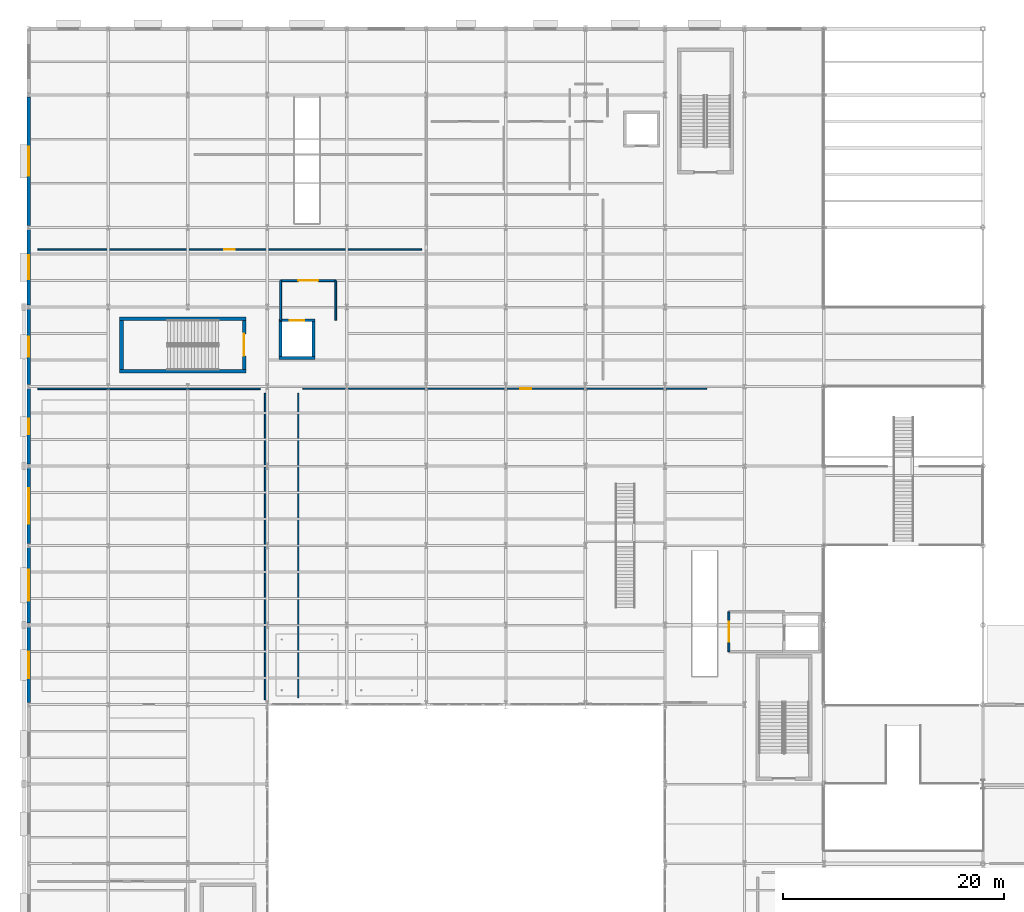
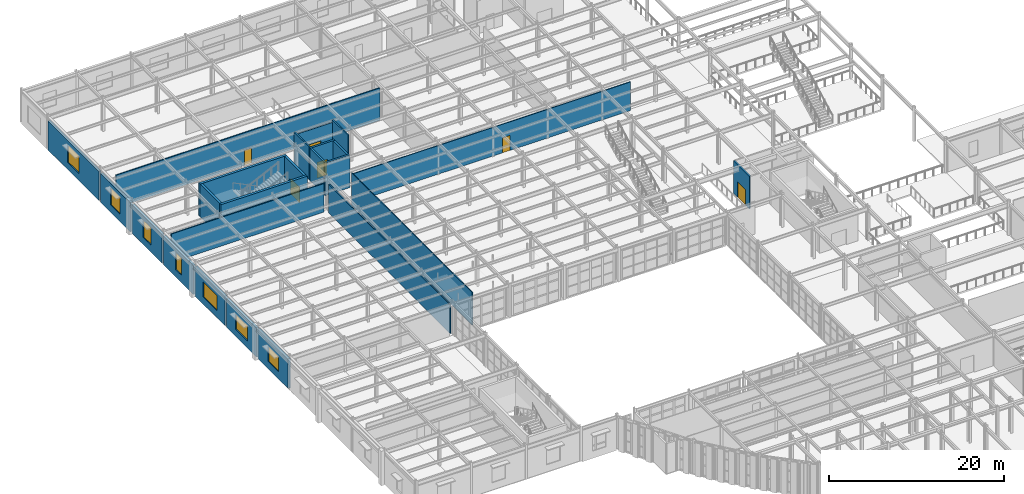
# One storey, part 96 of 121: 24 walls, 7 windows, 6 doors, 13 openings.
"""IFC4 building model written with IfcOpenShell, lengths in metres."""

from ifc_helpers import new_model, si_unit, direction, frame, frame_2d, origin, place, context, subcontext, project, spatial, rectangle, extrude, material, layer, layer_set, type_object, element, fill, save


model = new_model("IFC4")

# Units and contexts
model_context = context("Model", 3, precision=1e-05, world=origin(), true_north=direction((0.0, 1.0)))
body_context = subcontext(model_context, "Body", "Model", "MODEL_VIEW")
ifc_project = project(units=[si_unit("LENGTHUNIT", "METRE"), si_unit("AREAUNIT", "SQUARE_METRE"), si_unit("VOLUMEUNIT", "CUBIC_METRE"), si_unit("PLANEANGLEUNIT", "RADIAN"), si_unit("MASSUNIT", "GRAM", prefix="KILO")], contexts=[model_context])

# Site, building, storey
site_placement = place(None, origin())
site = spatial("IfcSite", under=ifc_project, at=site_placement, CompositionType="ELEMENT")
building_placement = place(site_placement, origin())
building = spatial("IfcBuilding", under=site, at=building_placement, Name="Solvadek Multi-Sports Hall", CompositionType="ELEMENT")
storey_placement = place(building_placement, frame((0.0, 0.0, 4.800048828125)))
storey = spatial("IfcBuildingStorey", under=building, at=storey_placement, Name="L01", CompositionType="ELEMENT", Elevation=4.800048828125)

# Wall, opening, window
ifc_material_1 = material(Name="Dressed honey-cream limestone ashlar", Category="masonry")
ifc_layer_1 = layer(ifc_material_1, 0.300048828125, Name="Dressed honey-cream limestone ashlar")
ifc_layer_set_1 = layer_set([ifc_layer_1], Name="Dressed honey-cream limestone ashlar")
wall_type_1 = type_object("IfcWallType", Name="ENV-WAL-EXT300", PredefinedType="SOLIDWALL", material=ifc_layer_set_1)
wall_1_placement = place(storey_placement, frame((0.0, 49.384033203125, 0.0), z_axis=(0.0, 0.0, 1.0), x_axis=(0.0, 1.0, 0.0)))
wall_1 = element("IfcWall", 1, at=wall_1_placement, inside=storey, type_object=wall_type_1, Name="L01 Exterior Masonry Wall #142", PredefinedType="SOLIDWALL", context=body_context, shape_type="SweptSolid", body=[
    extrude(rectangle(XDim=6.83203125, YDim=0.300048828125, at=frame_2d((3.416015625, 0.0))), origin(), (0.0, 0.0, 1.0), 4.14501953125),
])
opening_1_placement = place(wall_1_placement, frame((2.216064453125, 0.0, 1.0)))
opening_1 = element("IfcOpeningElement", 2, at=opening_1_placement, cuts=wall_1, Name="Opening WN-13", PredefinedType="OPENING", context=body_context, shape_type="SweptSolid", body=[
    extrude(rectangle(XDim=2.39990234375, YDim=2.10009765625, at=frame_2d((1.199951171875, 1.050048828125))), frame((0.0, 0.159912109375, 0.0), z_axis=(0.0, -1.0, 0.0), x_axis=(1.0, 0.0, 0.0)), (0.0, 0.0, 1.0), 0.320068359375),
])
ifc_material_2 = material(Name="Tempered laminated low-E glass", Category="glass")
window_type_1 = type_object("IfcWindowType", Name="ENV-WIN-WN-13", PartitioningType="SINGLE_PANEL", PredefinedType="WINDOW", material=ifc_material_2)
window_1_placement = place(opening_1_placement, origin())
window_1 = element("IfcWindow", 3, at=window_1_placement, inside=storey, type_object=window_type_1, Name="L01 Facade Window WN-13 #31", OverallHeight=2.10009765625, OverallWidth=2.39990234375, PartitioningType="SINGLE_PANEL", PredefinedType="WINDOW", context=body_context, shape_type="SweptSolid", body=[
    extrude(rectangle(XDim=2.39990234375, YDim=2.10009765625, at=frame_2d((1.199951171875, 1.050048828125))), frame((0.0, 0.030029296875, 0.0), z_axis=(0.0, -1.0, 0.0), x_axis=(1.0, 0.0, 0.0)), (0.0, 0.0, 1.0), 0.06005859375),
])
fill(opening_1, window_1)

wall_2_placement = place(storey_placement, frame((0.0, 56.583984375, 0.0), z_axis=(0.0, 0.0, 1.0), x_axis=(0.0, 1.0, 0.0)))
wall_2 = element("IfcWall", 4, at=wall_2_placement, inside=storey, type_object=wall_type_1, Name="L01 Exterior Masonry Wall #145", PredefinedType="SOLIDWALL", context=body_context, shape_type="SweptSolid", body=[
    extrude(rectangle(XDim=6.83203125, YDim=0.300048828125, at=frame_2d((3.416015625, 0.0))), origin(), (0.0, 0.0, 1.0), 4.044921875),
])
opening_2_placement = place(wall_2_placement, frame((2.01611328125, 0.0, 1.0)))
opening_2 = element("IfcOpeningElement", 5, at=opening_2_placement, cuts=wall_2, Name="Opening WN-14", PredefinedType="OPENING", context=body_context, shape_type="SweptSolid", body=[
    extrude(rectangle(XDim=2.800048828125, YDim=2.10009765625, at=frame_2d((1.39990234375, 1.050048828125))), frame((0.0, 0.159912109375, 0.0), z_axis=(0.0, -1.0, 0.0), x_axis=(1.0, 0.0, 0.0)), (0.0, 0.0, 1.0), 0.320068359375),
])
window_type_2 = type_object("IfcWindowType", Name="ENV-WIN-WN-14", PartitioningType="SINGLE_PANEL", PredefinedType="WINDOW", material=ifc_material_2)
window_2_placement = place(opening_2_placement, origin())
window_2 = element("IfcWindow", 6, at=window_2_placement, inside=storey, type_object=window_type_2, Name="L01 Facade Window WN-14 #34", OverallHeight=2.10009765625, OverallWidth=2.800048828125, PartitioningType="SINGLE_PANEL", PredefinedType="WINDOW", context=body_context, shape_type="SweptSolid", body=[
    extrude(rectangle(XDim=2.800048828125, YDim=2.10009765625, at=frame_2d((1.39990234375, 1.050048828125))), frame((0.0, 0.030029296875, 0.0), z_axis=(0.0, -1.0, 0.0), x_axis=(1.0, 0.0, 0.0)), (0.0, 0.0, 1.0), 0.06005859375),
])
fill(opening_2, window_2)

wall_3_placement = place(storey_placement, frame((0.0, 63.783935546875, 0.0), z_axis=(0.0, 0.0, 1.0), x_axis=(0.0, 1.0, 0.0)))
wall_3 = element("IfcWall", 7, at=wall_3_placement, inside=storey, type_object=wall_type_1, Name="L01 Exterior Masonry Wall #148", PredefinedType="SOLIDWALL", context=body_context, shape_type="SweptSolid", body=[
    extrude(rectangle(XDim=6.83203125, YDim=0.300048828125, at=frame_2d((3.416015625, 0.0))), origin(), (0.0, 0.0, 1.0), 4.14501953125),
])
opening_3_placement = place(wall_3_placement, frame((1.81591796875, 0.0, 1.0)))
opening_3 = element("IfcOpeningElement", 8, at=opening_3_placement, cuts=wall_3, Name="Opening WN-15", PredefinedType="OPENING", context=body_context, shape_type="SweptSolid", body=[
    extrude(rectangle(XDim=3.199951171875, YDim=2.10009765625, at=frame_2d((1.60009765625, 1.050048828125))), frame((0.0, 0.159912109375, 0.0), z_axis=(0.0, -1.0, 0.0), x_axis=(1.0, 0.0, 0.0)), (0.0, 0.0, 1.0), 0.320068359375),
])
window_type_3 = type_object("IfcWindowType", Name="ENV-WIN-WN-15", PartitioningType="SINGLE_PANEL", PredefinedType="WINDOW", material=ifc_material_2)
window_3_placement = place(opening_3_placement, origin())
window_3 = element("IfcWindow", 9, at=window_3_placement, inside=storey, type_object=window_type_3, Name="L01 Facade Window WN-15 #37", OverallHeight=2.10009765625, OverallWidth=3.199951171875, PartitioningType="SINGLE_PANEL", PredefinedType="WINDOW", context=body_context, shape_type="SweptSolid", body=[
    extrude(rectangle(XDim=3.199951171875, YDim=2.10009765625, at=frame_2d((1.60009765625, 1.050048828125))), frame((0.0, 0.030029296875, 0.0), z_axis=(0.0, -1.0, 0.0), x_axis=(1.0, 0.0, 0.0)), (0.0, 0.0, 1.0), 0.06005859375),
])
fill(opening_3, window_3)

wall_4_placement = place(storey_placement, frame((0.0, 70.98388671875, 0.0), z_axis=(0.0, 0.0, 1.0), x_axis=(0.0, 1.0, 0.0)))
wall_4 = element("IfcWall", 10, at=wall_4_placement, inside=storey, type_object=wall_type_1, Name="L01 Exterior Masonry Wall #151", PredefinedType="SOLIDWALL", context=body_context, shape_type="SweptSolid", body=[
    extrude(rectangle(XDim=6.83203125, YDim=0.300048828125, at=frame_2d((3.416015625, 0.0))), origin(), (0.0, 0.0, 1.0), 4.044921875),
])
opening_4_placement = place(wall_4_placement, frame((2.716064453125, 0.0, 1.0)))
opening_4 = element("IfcOpeningElement", 11, at=opening_4_placement, cuts=wall_4, Name="Opening WN-16", PredefinedType="OPENING", context=body_context, shape_type="SweptSolid", body=[
    extrude(rectangle(XDim=1.39990234375, YDim=2.39990234375, at=frame_2d((0.699951171875, 1.199951171875))), frame((0.0, 0.159912109375, 0.0), z_axis=(0.0, -1.0, 0.0), x_axis=(1.0, 0.0, 0.0)), (0.0, 0.0, 1.0), 0.320068359375),
])
window_type_4 = type_object("IfcWindowType", Name="ENV-WIN-WN-16", PartitioningType="SINGLE_PANEL", PredefinedType="WINDOW", material=ifc_material_2)
window_4_placement = place(opening_4_placement, origin())
window_4 = element("IfcWindow", 12, at=window_4_placement, inside=storey, type_object=window_type_4, Name="L01 Facade Window WN-16 #40", OverallHeight=2.39990234375, OverallWidth=1.39990234375, PartitioningType="SINGLE_PANEL", PredefinedType="WINDOW", context=body_context, shape_type="SweptSolid", body=[
    extrude(rectangle(XDim=1.39990234375, YDim=2.39990234375, at=frame_2d((0.699951171875, 1.199951171875))), frame((0.0, 0.030029296875, 0.0), z_axis=(0.0, -1.0, 0.0), x_axis=(1.0, 0.0, 0.0)), (0.0, 0.0, 1.0), 0.06005859375),
])
fill(opening_4, window_4)

wall_5_placement = place(storey_placement, frame((0.0, 78.18408203125, 0.0), z_axis=(0.0, 0.0, 1.0), x_axis=(0.0, 1.0, 0.0)))
wall_5 = element("IfcWall", 13, at=wall_5_placement, inside=storey, type_object=wall_type_1, Name="L01 Exterior Masonry Wall #154", PredefinedType="SOLIDWALL", context=body_context, shape_type="SweptSolid", body=[
    extrude(rectangle(XDim=6.83203125, YDim=0.300048828125, at=frame_2d((3.416015625, 0.0))), origin(), (0.0, 0.0, 1.0), 4.044921875),
])
opening_5_placement = place(wall_5_placement, frame((2.51611328125, 0.0, 1.0)))
opening_5 = element("IfcOpeningElement", 14, at=opening_5_placement, cuts=wall_5, Name="Opening WN-17", PredefinedType="OPENING", context=body_context, shape_type="SweptSolid", body=[
    extrude(rectangle(XDim=1.800048828125, YDim=2.39990234375, at=frame_2d((0.89990234375, 1.199951171875))), frame((0.0, 0.159912109375, 0.0), z_axis=(0.0, -1.0, 0.0), x_axis=(1.0, 0.0, 0.0)), (0.0, 0.0, 1.0), 0.320068359375),
])
window_type_5 = type_object("IfcWindowType", Name="ENV-WIN-WN-17", PartitioningType="SINGLE_PANEL", PredefinedType="WINDOW", material=ifc_material_2)
window_5_placement = place(opening_5_placement, origin())
window_5 = element("IfcWindow", 15, at=window_5_placement, inside=storey, type_object=window_type_5, Name="L01 Facade Window WN-17 #43", OverallHeight=2.39990234375, OverallWidth=1.800048828125, PartitioningType="SINGLE_PANEL", PredefinedType="WINDOW", context=body_context, shape_type="SweptSolid", body=[
    extrude(rectangle(XDim=1.800048828125, YDim=2.39990234375, at=frame_2d((0.89990234375, 1.199951171875))), frame((0.0, 0.030029296875, 0.0), z_axis=(0.0, -1.0, 0.0), x_axis=(1.0, 0.0, 0.0)), (0.0, 0.0, 1.0), 0.06005859375),
])
fill(opening_5, window_5)

wall_6_placement = place(storey_placement, frame((0.0, 85.384033203125, 0.0), z_axis=(0.0, 0.0, 1.0), x_axis=(0.0, 1.0, 0.0)))
wall_6 = element("IfcWall", 16, at=wall_6_placement, inside=storey, type_object=wall_type_1, Name="L01 Exterior Masonry Wall #157", PredefinedType="SOLIDWALL", context=body_context, shape_type="SweptSolid", body=[
    extrude(rectangle(XDim=6.83203125, YDim=0.300048828125, at=frame_2d((3.416015625, 0.0))), origin(), (0.0, 0.0, 1.0), 4.044921875),
])
opening_6_placement = place(wall_6_placement, frame((2.31591796875, 0.0, 1.0)))
opening_6 = element("IfcOpeningElement", 17, at=opening_6_placement, cuts=wall_6, Name="Opening WN-18", PredefinedType="OPENING", context=body_context, shape_type="SweptSolid", body=[
    extrude(rectangle(XDim=2.199951171875, YDim=2.39990234375, at=frame_2d((1.10009765625, 1.199951171875))), frame((0.0, 0.159912109375, 0.0), z_axis=(0.0, -1.0, 0.0), x_axis=(1.0, 0.0, 0.0)), (0.0, 0.0, 1.0), 0.320068359375),
])
window_type_6 = type_object("IfcWindowType", Name="ENV-WIN-WN-18", PartitioningType="SINGLE_PANEL", PredefinedType="WINDOW", material=ifc_material_2)
window_6_placement = place(opening_6_placement, origin())
window_6 = element("IfcWindow", 18, at=window_6_placement, inside=storey, type_object=window_type_6, Name="L01 Facade Window WN-18 #46", OverallHeight=2.39990234375, OverallWidth=2.199951171875, PartitioningType="SINGLE_PANEL", PredefinedType="WINDOW", context=body_context, shape_type="SweptSolid", body=[
    extrude(rectangle(XDim=2.199951171875, YDim=2.39990234375, at=frame_2d((1.10009765625, 1.199951171875))), frame((0.0, 0.030029296875, 0.0), z_axis=(0.0, -1.0, 0.0), x_axis=(1.0, 0.0, 0.0)), (0.0, 0.0, 1.0), 0.06005859375),
])
fill(opening_6, window_6)

wall_7_placement = place(storey_placement, frame((0.0, 92.583984375, 0.0), z_axis=(0.0, 0.0, 1.0), x_axis=(0.0, 1.0, 0.0)))
wall_7 = element("IfcWall", 19, at=wall_7_placement, inside=storey, type_object=wall_type_1, Name="L01 Exterior Masonry Wall #160", PredefinedType="SOLIDWALL", context=body_context, shape_type="SweptSolid", body=[
    extrude(rectangle(XDim=11.632080078125, YDim=0.300048828125, at=frame_2d((5.81591796875, 0.0))), origin(), (0.0, 0.0, 1.0), 4.044921875),
])
opening_7_placement = place(wall_7_placement, frame((4.51611328125, 0.0, 1.0)))
opening_7 = element("IfcOpeningElement", 20, at=opening_7_placement, cuts=wall_7, Name="Opening WN-19", PredefinedType="OPENING", context=body_context, shape_type="SweptSolid", body=[
    extrude(rectangle(XDim=2.60009765625, YDim=2.39990234375, at=frame_2d((1.300048828125, 1.199951171875))), frame((0.0, 0.159912109375, 0.0), z_axis=(0.0, -1.0, 0.0), x_axis=(1.0, 0.0, 0.0)), (0.0, 0.0, 1.0), 0.320068359375),
])
window_type_7 = type_object("IfcWindowType", Name="ENV-WIN-WN-19", PartitioningType="SINGLE_PANEL", PredefinedType="WINDOW", material=ifc_material_2)
window_7_placement = place(opening_7_placement, origin())
window_7 = element("IfcWindow", 21, at=window_7_placement, inside=storey, type_object=window_type_7, Name="L01 Facade Window WN-19 #48", OverallHeight=2.39990234375, OverallWidth=2.60009765625, PartitioningType="SINGLE_PANEL", PredefinedType="WINDOW", context=body_context, shape_type="SweptSolid", body=[
    extrude(rectangle(XDim=2.60009765625, YDim=2.39990234375, at=frame_2d((1.300048828125, 1.199951171875))), frame((0.0, 0.030029296875, 0.0), z_axis=(0.0, -1.0, 0.0), x_axis=(1.0, 0.0, 0.0)), (0.0, 0.0, 1.0), 0.06005859375),
])
fill(opening_7, window_7)

# Wall, opening, door
ifc_material_3 = material(Name="Autoclaved aerated concrete blockwork", Category="masonry")
ifc_layer_2 = layer(ifc_material_3, 0.10498046875, Name="Autoclaved aerated concrete blockwork")
ifc_layer_set_2 = layer_set([ifc_layer_2], Name="Autoclaved aerated concrete blockwork")
wall_type_2 = type_object("IfcWallType", Name="INT-WAL-PRT105", PredefinedType="PARTITIONING", material=ifc_layer_set_2)
wall_8_placement = place(storey_placement, frame((24.820068359375, 77.800048828125, 0.0), z_axis=(0.0, 0.0, 1.0), x_axis=(1.0, 0.0, 0.0)))
wall_8 = element("IfcWall", 22, at=wall_8_placement, inside=storey, type_object=wall_type_2, Name="L01 Partition Wall L01-12 N", PredefinedType="PARTITIONING", context=body_context, shape_type="SweptSolid", body=[
    extrude(rectangle(XDim=36.554931640625, YDim=0.10498046875, at=frame_2d((18.27734375, 0.0))), origin(), (0.0, 0.0, 1.0), 3.989990234375),
])
opening_8_placement = place(wall_8_placement, frame((19.677490234375, 0.0, 0.0)))
opening_8 = element("IfcOpeningElement", 23, at=opening_8_placement, cuts=wall_8, Name="Opening D-01", PredefinedType="OPENING", context=body_context, shape_type="SweptSolid", body=[
    extrude(rectangle(XDim=1.0, YDim=2.10009765625, at=frame_2d((0.5, 1.050048828125))), frame((0.0, 0.0625, 0.0), z_axis=(0.0, -1.0, 0.0), x_axis=(1.0, 0.0, 0.0)), (0.0, 0.0, 1.0), 0.125),
])
ifc_material_4 = material(Name="Teak hardwood timber", Category="wood")
door_type_1 = type_object("IfcDoorType", Name="INT-DOR-RM100X210", OperationType="NOTDEFINED", PredefinedType="DOOR", material=ifc_material_4)
door_1_placement = place(opening_8_placement, origin())
door_1 = element("IfcDoor", 24, at=door_1_placement, inside=storey, type_object=door_type_1, Name="L01 L01-19 Door #46", OperationType="SINGLE_SWING_LEFT", OverallHeight=2.10009765625, OverallWidth=1.0, PredefinedType="DOOR", context=body_context, shape_type="SweptSolid", body=[
    extrude(rectangle(XDim=1.0, YDim=2.10009765625, at=frame_2d((0.5, 1.050048828125))), frame((0.0, 0.02490234375, 0.0), z_axis=(0.0, -1.0, 0.0), x_axis=(1.0, 0.0, 0.0)), (0.0, 0.0, 1.0), 0.050048828125),
])
fill(opening_8, door_1)

# Walls
wall_9_placement = place(storey_placement, frame((24.39990234375, 49.820068359375, 0.0), z_axis=(0.0, 0.0, 1.0), x_axis=(0.0, 1.0, 0.0)))
element("IfcWall", 25, at=wall_9_placement, inside=storey, type_object=wall_type_2, Name="L01 Partition Wall L01-12 W", PredefinedType="PARTITIONING", context=body_context, shape_type="SweptSolid", body=[
    extrude(rectangle(XDim=27.559814453125, YDim=0.10498046875, at=frame_2d((13.77978515625, 0.0))), origin(), (0.0, 0.0, 1.0), 4.544921875),
])
ifc_layer_3 = layer(ifc_material_3, 0.135009765625, Name="Autoclaved aerated concrete blockwork")
ifc_layer_set_3 = layer_set([ifc_layer_3], Name="Autoclaved aerated concrete blockwork")
wall_type_3 = type_object("IfcWallType", Name="INT-WAL-PRT135", PredefinedType="PARTITIONING", material=ifc_layer_set_3)
wall_10_placement = place(storey_placement, frame((0.820068359375, 77.800048828125, 0.0), z_axis=(0.0, 0.0, 1.0), x_axis=(1.0, 0.0, 0.0)))
element("IfcWall", 26, at=wall_10_placement, inside=storey, type_object=wall_type_3, Name="L01 Partition Wall L01-14 N", PredefinedType="PARTITIONING", context=body_context, shape_type="SweptSolid", body=[
    extrude(rectangle(XDim=20.159912109375, YDim=0.135009765625, at=frame_2d((10.080078125, 0.0))), origin(), (0.0, 0.0, 1.0), 3.989990234375),
])
wall_11_placement = place(storey_placement, frame((21.39990234375, 49.625, 0.0), z_axis=(0.0, 0.0, 1.0), x_axis=(0.0, 1.0, 0.0)))
element("IfcWall", 27, at=wall_11_placement, inside=storey, type_object=wall_type_3, Name="L01 Partition Wall L01-14 E", PredefinedType="PARTITIONING", context=body_context, shape_type="SweptSolid", body=[
    extrude(rectangle(XDim=27.7548828125, YDim=0.135009765625, at=frame_2d((13.87744140625, 0.0))), origin(), (0.0, 0.0, 1.0), 3.989990234375),
])

# Wall, opening, door
wall_12_placement = place(storey_placement, frame((0.820068359375, 90.39990234375, 0.0), z_axis=(0.0, 0.0, 1.0), x_axis=(1.0, 0.0, 0.0)))
wall_12 = element("IfcWall", 28, at=wall_12_placement, inside=storey, type_object=wall_type_3, Name="L01 Partition Wall L01-18 S", PredefinedType="PARTITIONING", context=body_context, shape_type="SweptSolid", body=[
    extrude(rectangle(XDim=34.760009765625, YDim=0.135009765625, at=frame_2d((17.3798828125, 0.0))), origin(), (0.0, 0.0, 1.0), 4.544921875),
])
opening_9_placement = place(wall_12_placement, frame((16.905029296875, 0.0, 0.0)))
opening_9 = element("IfcOpeningElement", 29, at=opening_9_placement, cuts=wall_12, Name="Opening D-02", PredefinedType="OPENING", context=body_context, shape_type="SweptSolid", body=[
    extrude(rectangle(XDim=0.949951171875, YDim=2.10009765625, at=frame_2d((0.47509765625, 1.050048828125))), frame((0.0, 0.077392578125, 0.0), z_axis=(0.0, -1.0, 0.0), x_axis=(1.0, 0.0, 0.0)), (0.0, 0.0, 1.0), 0.155029296875),
])
door_type_2 = type_object("IfcDoorType", Name="INT-DOR-RM095X210", OperationType="NOTDEFINED", PredefinedType="DOOR", material=ifc_material_4)
door_2_placement = place(opening_9_placement, origin())
door_2 = element("IfcDoor", 30, at=door_2_placement, inside=storey, type_object=door_type_2, Name="L01 L01-18 Door #45", OperationType="SINGLE_SWING_RIGHT", OverallHeight=2.10009765625, OverallWidth=0.949951171875, PredefinedType="DOOR", context=body_context, shape_type="SweptSolid", body=[
    extrude(rectangle(XDim=0.949951171875, YDim=2.10009765625, at=frame_2d((0.47509765625, 1.050048828125))), frame((0.0, 0.02490234375, 0.0), z_axis=(0.0, -1.0, 0.0), x_axis=(1.0, 0.0, 0.0)), (0.0, 0.0, 1.0), 0.050048828125),
])
fill(opening_9, door_2)

ifc_layer_4 = layer(ifc_material_3, 0.179931640625, Name="Autoclaved aerated concrete blockwork")
ifc_layer_set_4 = layer_set([ifc_layer_4], Name="Autoclaved aerated concrete blockwork")
wall_type_4 = type_object("IfcWallType", Name="INT-WAL-PRT180", PredefinedType="PARTITIONING", material=ifc_layer_set_4)
wall_13_placement = place(storey_placement, frame((22.800048828125, 87.60009765625, 0.0), z_axis=(0.0, 0.0, 1.0), x_axis=(1.0, 0.0, 0.0)))
wall_13 = element("IfcWall", 31, at=wall_13_placement, inside=storey, type_object=wall_type_4, Name="L01 Firefighting Lobby LF-01 Rated Wall N", PredefinedType="PARTITIONING", context=body_context, shape_type="SweptSolid", body=[
    extrude(rectangle(XDim=5.0, YDim=0.179931640625, at=frame_2d((2.5, 0.0))), origin(), (0.0, 0.0, 1.0), 4.2099609375),
])
opening_10_placement = place(wall_13_placement, frame((1.60009765625, 0.0, 0.0)))
opening_10 = element("IfcOpeningElement", 32, at=opening_10_placement, cuts=wall_13, Name="Opening FD120B", PredefinedType="OPENING", context=body_context, shape_type="SweptSolid", body=[
    extrude(rectangle(XDim=1.800048828125, YDim=2.14990234375, at=frame_2d((0.89990234375, 1.074951171875))), frame((0.0, 0.099853515625, 0.0), z_axis=(0.0, -1.0, 0.0), x_axis=(1.0, 0.0, 0.0)), (0.0, 0.0, 1.0), 0.199951171875),
])
ifc_material_5 = material(Name="Steel E250 (250 MPa)", Category="steel")
door_type_3 = type_object("IfcDoorType", Name="INT-DOR-FD180X215", OperationType="DOUBLE_DOOR_SINGLE_SWING", PredefinedType="DOOR", material=ifc_material_5)
door_3_placement = place(opening_10_placement, origin())
door_3 = element("IfcDoor", 33, at=door_3_placement, inside=storey, type_object=door_type_3, Name="L01 Firefighting Lobby LF-01 Fire Door", OperationType="DOUBLE_DOOR_SINGLE_SWING", OverallHeight=2.14990234375, OverallWidth=1.800048828125, PredefinedType="DOOR", context=body_context, shape_type="SweptSolid", body=[
    extrude(rectangle(XDim=1.800048828125, YDim=2.14990234375, at=frame_2d((0.89990234375, 1.074951171875))), frame((0.0, 0.02490234375, 0.0), z_axis=(0.0, -1.0, 0.0), x_axis=(1.0, 0.0, 0.0)), (0.0, 0.0, 1.0), 0.050048828125),
])
fill(opening_10, door_3)

# Walls
for number, where, z_axis, x_axis, name in (
    (34, (22.800048828125, 84.0, 0.0), (0.0, 0.0, 1.0), (0.0, 1.0, 0.0), "L01 Firefighting Lobby LF-01 Rated Wall W"),
    (35, (27.800048828125, 84.0, 0.0), (0.0, 0.0, 1.0), (0.0, 1.0, 0.0), "L01 Firefighting Lobby LF-01 Rated Wall E"),
):
    element("IfcWall", number, at=place(storey_placement, frame(where, z_axis=z_axis, x_axis=x_axis)), inside=storey, type_object=wall_type_4, Name=name, PredefinedType="PARTITIONING", context=body_context, shape_type="SweptSolid", body=[
        extrude(rectangle(XDim=3.60009765625, YDim=0.179931640625, at=frame_2d((1.800048828125, 0.0))), origin(), (0.0, 0.0, 1.0), 4.544921875),
    ])

# Wall, opening, door
wall_14_placement = place(storey_placement, frame((63.39990234375, 54.0, 0.0), z_axis=(0.0, 0.0, 1.0), x_axis=(0.0, 1.0, 0.0)))
wall_14 = element("IfcWall", 36, at=wall_14_placement, inside=storey, type_object=wall_type_4, Name="L01 Firefighting Lobby LF-02 Rated Wall W", PredefinedType="PARTITIONING", context=body_context, shape_type="SweptSolid", body=[
    extrude(rectangle(XDim=3.60009765625, YDim=0.179931640625, at=frame_2d((1.800048828125, 0.0))), origin(), (0.0, 0.0, 1.0), 4.544921875),
])
opening_11_placement = place(wall_14_placement, frame((0.89990234375, 0.0, 0.0)))
opening_11 = element("IfcOpeningElement", 37, at=opening_11_placement, cuts=wall_14, Name="Opening FD120B", PredefinedType="OPENING", context=body_context, shape_type="SweptSolid", body=[
    extrude(rectangle(XDim=1.800048828125, YDim=2.14990234375, at=frame_2d((0.89990234375, 1.074951171875))), frame((0.0, 0.099853515625, 0.0), z_axis=(0.0, -1.0, 0.0), x_axis=(1.0, 0.0, 0.0)), (0.0, 0.0, 1.0), 0.199951171875),
])
door_4_placement = place(opening_11_placement, origin())
door_4 = element("IfcDoor", 38, at=door_4_placement, inside=storey, type_object=door_type_3, Name="L01 Firefighting Lobby LF-02 Fire Door", OperationType="DOUBLE_DOOR_SINGLE_SWING", OverallHeight=2.14990234375, OverallWidth=1.800048828125, PredefinedType="DOOR", context=body_context, shape_type="SweptSolid", body=[
    extrude(rectangle(XDim=1.800048828125, YDim=2.14990234375, at=frame_2d((0.89990234375, 1.074951171875))), frame((0.0, 0.02490234375, 0.0), z_axis=(0.0, -1.0, 0.0), x_axis=(1.0, 0.0, 0.0)), (0.0, 0.0, 1.0), 0.050048828125),
])
fill(opening_11, door_4)

# Wall
ifc_material_6 = material(Name="Concrete M40", Category="concrete")
ifc_layer_5 = layer(ifc_material_6, 0.260009765625, Name="Concrete M40")
ifc_layer_set_5 = layer_set([ifc_layer_5], Name="Concrete M40")
wall_type_5 = type_object("IfcWallType", Name="INT-WAL-SHR260", PredefinedType="SHEAR", material=ifc_layer_set_5)
wall_15_placement = place(storey_placement, frame((22.669921875, 80.60009765625, 0.0), z_axis=(0.0, 0.0, 1.0), x_axis=(1.0, 0.0, 0.0)))
element("IfcWall", 39, at=wall_15_placement, inside=storey, type_object=wall_type_5, Name="Lift LF-01 Shaft Shear Wall L01 south", PredefinedType="SHEAR", context=body_context, shape_type="SweptSolid", body=[
    extrude(rectangle(XDim=3.260009765625, YDim=0.260009765625, at=frame_2d((1.6298828125, 0.0))), origin(), (0.0, 0.0, 1.0), 4.56005859375),
])

# Wall, opening, door
wall_16_placement = place(storey_placement, frame((22.669921875, 84.0, 0.0), z_axis=(0.0, 0.0, 1.0), x_axis=(1.0, 0.0, 0.0)))
wall_16 = element("IfcWall", 40, at=wall_16_placement, inside=storey, type_object=wall_type_5, Name="Lift LF-01 Shaft Shear Wall L01 north", PredefinedType="SHEAR", context=body_context, shape_type="SweptSolid", body=[
    extrude(rectangle(XDim=3.260009765625, YDim=0.260009765625, at=frame_2d((1.6298828125, 0.0))), origin(), (0.0, 0.0, 1.0), 4.56005859375),
])
opening_12_placement = place(wall_16_placement, frame((0.97998046875, 0.0, 0.0)))
opening_12 = element("IfcOpeningElement", 41, at=opening_12_placement, cuts=wall_16, Name="Opening LD-03", PredefinedType="OPENING", context=body_context, shape_type="SweptSolid", body=[
    extrude(rectangle(XDim=1.300048828125, YDim=2.199951171875, at=frame_2d((0.64990234375, 1.10009765625))), frame((0.0, 0.139892578125, 0.0), z_axis=(0.0, -1.0, 0.0), x_axis=(1.0, 0.0, 0.0)), (0.0, 0.0, 1.0), 0.280029296875),
])
ifc_material_7 = material(Name="Anodised aluminium", Category="aluminium")
door_type_4 = type_object("IfcDoorType", Name="INT-DOR-LD130X220", OperationType="DOUBLE_DOOR_SLIDING", PredefinedType="DOOR", material=ifc_material_7)
door_5_placement = place(opening_12_placement, origin())
door_5 = element("IfcDoor", 42, at=door_5_placement, inside=storey, type_object=door_type_4, Name="L01 Lift LF-01 Sliding Landing Door LD-03", OperationType="DOUBLE_DOOR_SLIDING", OverallHeight=2.199951171875, OverallWidth=1.300048828125, PredefinedType="DOOR", context=body_context, shape_type="SweptSolid", body=[
    extrude(rectangle(XDim=1.300048828125, YDim=2.199951171875, at=frame_2d((0.64990234375, 1.10009765625))), frame((0.0, 0.02490234375, 0.0), z_axis=(0.0, -1.0, 0.0), x_axis=(1.0, 0.0, 0.0)), (0.0, 0.0, 1.0), 0.050048828125),
])
fill(opening_12, door_5)

# Walls
for number, where, z_axis, x_axis, name in (
    (43, (22.800048828125, 80.72998046875, 0.0), (0.0, 0.0, 1.0), (0.0, 1.0, 0.0), "Lift LF-01 Shaft Shear Wall L01 west"),
    (44, (25.800048828125, 80.72998046875, 0.0), (0.0, 0.0, 1.0), (0.0, 1.0, 0.0), "Lift LF-01 Shaft Shear Wall L01 east"),
):
    element("IfcWall", number, at=place(storey_placement, frame(where, z_axis=z_axis, x_axis=x_axis)), inside=storey, type_object=wall_type_5, Name=name, PredefinedType="SHEAR", context=body_context, shape_type="SweptSolid", body=[
        extrude(rectangle(XDim=3.14013671875, YDim=0.260009765625, at=frame_2d((1.570068359375, 0.0))), origin(), (0.0, 0.0, 1.0), 4.56005859375),
    ])
ifc_layer_6 = layer(ifc_material_6, 0.320068359375, Name="Concrete M40")
ifc_layer_set_6 = layer_set([ifc_layer_6], Name="Concrete M40")
wall_type_6 = type_object("IfcWallType", Name="INT-WAL-SHR320", PredefinedType="SHEAR", material=ifc_layer_set_6)
for number, where, z_axis, x_axis, name in (
    (45, (8.239990234375, 79.39990234375, 0.0), (0.0, 0.0, 1.0), (1.0, 0.0, 0.0), "L01 Stair ST-02 Shear Wall S"),
    (46, (8.239990234375, 84.14990234375, 0.0), (0.0, 0.0, 1.0), (1.0, 0.0, 0.0), "L01 Stair ST-02 Shear Wall N"),
):
    element("IfcWall", number, at=place(storey_placement, frame(where, z_axis=z_axis, x_axis=x_axis)), inside=storey, type_object=wall_type_6, Name=name, PredefinedType="SHEAR", context=body_context, shape_type="SweptSolid", body=[
        extrude(rectangle(XDim=11.419921875, YDim=0.320068359375, at=frame_2d((5.7099609375, 0.0))), origin(), (0.0, 0.0, 1.0), 4.56005859375),
    ])
wall_17_placement = place(storey_placement, frame((8.39990234375, 79.56005859375, 0.0), z_axis=(0.0, 0.0, 1.0), x_axis=(0.0, 1.0, 0.0)))
element("IfcWall", 47, at=wall_17_placement, inside=storey, type_object=wall_type_6, Name="L01 Stair ST-02 Shear Wall W", PredefinedType="SHEAR", context=body_context, shape_type="SweptSolid", body=[
    extrude(rectangle(XDim=4.429931640625, YDim=0.320068359375, at=frame_2d((2.21484375, 0.0))), origin(), (0.0, 0.0, 1.0), 4.56005859375),
])

# Wall, opening, door
wall_18_placement = place(storey_placement, frame((19.5, 79.56005859375, 0.0), z_axis=(0.0, 0.0, 1.0), x_axis=(0.0, 1.0, 0.0)))
wall_18 = element("IfcWall", 48, at=wall_18_placement, inside=storey, type_object=wall_type_6, Name="L01 Stair ST-02 Shear Wall E", PredefinedType="SHEAR", context=body_context, shape_type="SweptSolid", body=[
    extrude(rectangle(XDim=4.429931640625, YDim=0.320068359375, at=frame_2d((2.21484375, 0.0))), origin(), (0.0, 0.0, 1.0), 4.56005859375),
])
opening_13_placement = place(wall_18_placement, frame((1.215087890625, 0.0, 0.0)))
opening_13 = element("IfcOpeningElement", 49, at=opening_13_placement, cuts=wall_18, Name="Opening FD120", PredefinedType="OPENING", context=body_context, shape_type="SweptSolid", body=[
    extrude(rectangle(XDim=2.0, YDim=2.14990234375, at=frame_2d((1.0, 1.074951171875))), frame((0.0, 0.169921875, 0.0), z_axis=(0.0, -1.0, 0.0), x_axis=(1.0, 0.0, 0.0)), (0.0, 0.0, 1.0), 0.340087890625),
])
door_type_5 = type_object("IfcDoorType", Name="INT-DOR-FD200X215", OperationType="DOUBLE_DOOR_SINGLE_SWING", PredefinedType="DOOR", material=ifc_material_5)
door_6_placement = place(opening_13_placement, origin())
door_6 = element("IfcDoor", 50, at=door_6_placement, inside=storey, type_object=door_type_5, Name="L01 Stair ST-02 Fire Door", OperationType="DOUBLE_DOOR_SINGLE_SWING", OverallHeight=2.14990234375, OverallWidth=2.0, PredefinedType="DOOR", context=body_context, shape_type="SweptSolid", body=[
    extrude(rectangle(XDim=2.0, YDim=2.14990234375, at=frame_2d((1.0, 1.074951171875))), frame((0.0, 0.02490234375, 0.0), z_axis=(0.0, -1.0, 0.0), x_axis=(1.0, 0.0, 0.0)), (0.0, 0.0, 1.0), 0.050048828125),
])
fill(opening_13, door_6)

save(model, "model.ifc")
